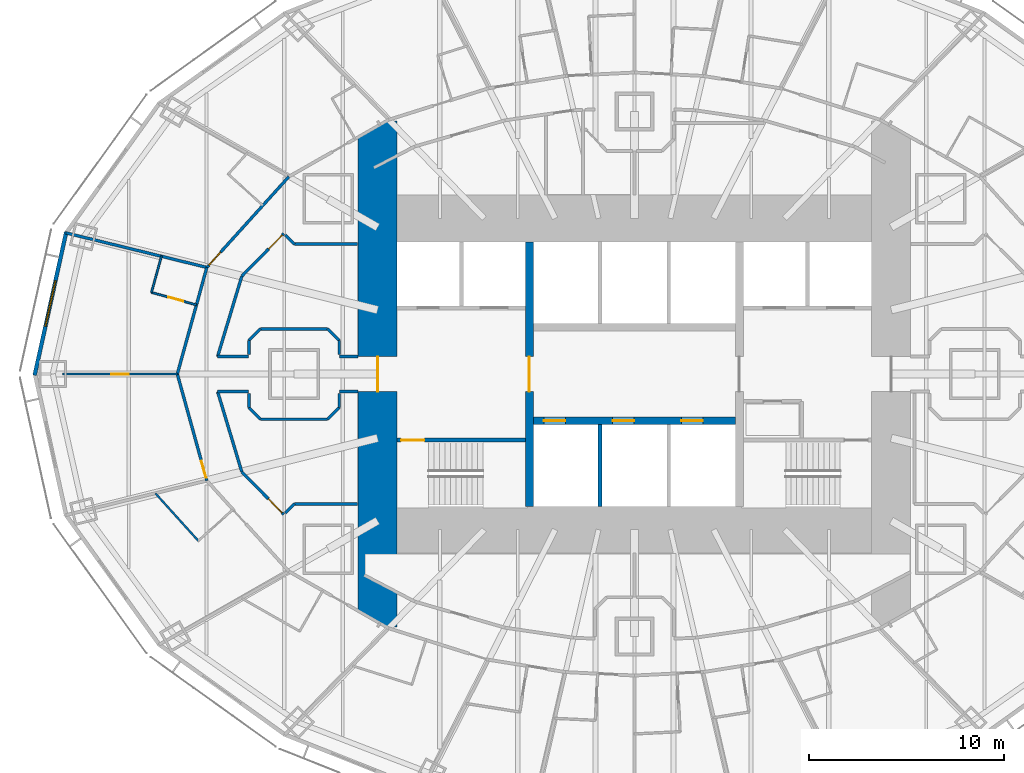
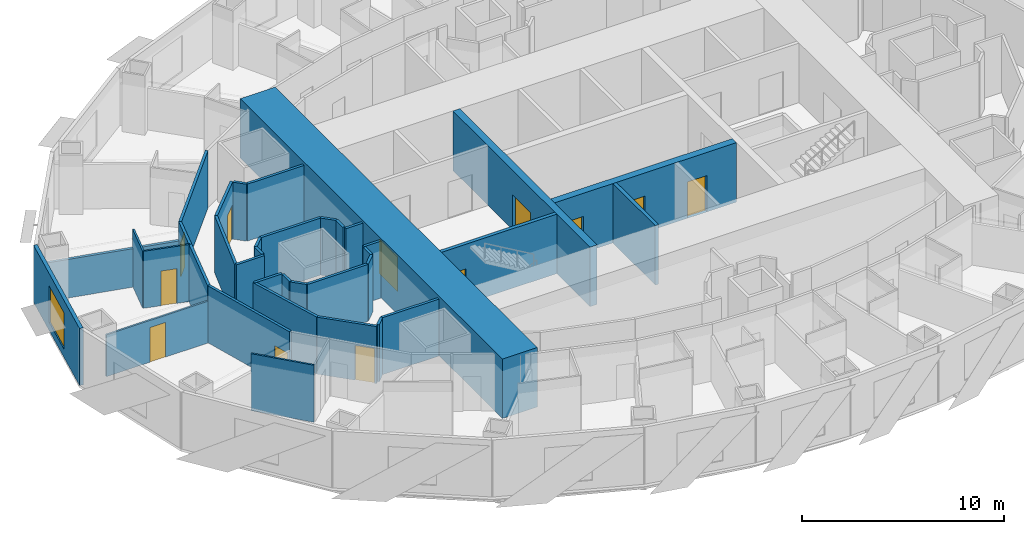
# One storey, part 6 of 17: 36 walls, 12 doors, 1 window, 13 openings.
"""IFC4 building model written with IfcOpenShell, lengths in metres."""

from ifc_helpers import new_model, si_unit, direction, frame, frame_2d, origin, place, context, subcontext, project, spatial, rectangle, extrude, material, layer, layer_set, type_object, element, fill, save


model = new_model("IFC4")

# Units and contexts
model_context = context("Model", 3, precision=1e-05, world=origin(), true_north=direction((0.0, 1.0)))
body_context = subcontext(model_context, "Body", "Model", "MODEL_VIEW")
ifc_project = project(units=[si_unit("LENGTHUNIT", "METRE"), si_unit("AREAUNIT", "SQUARE_METRE"), si_unit("VOLUMEUNIT", "CUBIC_METRE"), si_unit("PLANEANGLEUNIT", "RADIAN"), si_unit("MASSUNIT", "GRAM", prefix="KILO")], contexts=[model_context])

# Site, building, storey
site_placement = place(None, origin())
site = spatial("IfcSite", under=ifc_project, at=site_placement, CompositionType="ELEMENT")
building_placement = place(site_placement, origin())
building = spatial("IfcBuilding", under=site, at=building_placement, Name="Lantaw Convention Tower", CompositionType="ELEMENT")
storey_placement = place(building_placement, frame((0.0, 0.0, 37.0)))
storey = spatial("IfcBuildingStorey", under=building, at=storey_placement, Name="L06", CompositionType="ELEMENT", Elevation=37.0)

# Wall, opening, door
ifc_material_1 = material(Name="Moisture resistant gypsum board on steel studs", Category="steel")
ifc_layer_1 = layer(ifc_material_1, 0.10009765625)
ifc_layer_set_1 = layer_set([ifc_layer_1], Name="Bathroom wall 100")
wall_type_1 = type_object("IfcWallType", Name="Bathroom wall 100", PredefinedType="PARTITIONING", material=ifc_layer_set_1)
wall_1_placement = place(storey_placement, frame((-22.515869140625, 3.55322265625, 0.0), z_axis=(0.0, 0.0, 1.0), x_axis=(-0.963711502417, 0.266945949788, 0.0)))
wall_1 = element("IfcWall", 1, at=wall_1_placement, inside=storey, type_object=wall_type_1, Name="Bathroom wall 100", PredefinedType="PARTITIONING", context=body_context, shape_type="SweptSolid", body=[
    extrude(rectangle(XDim=2.39990234375, YDim=0.10009765625, at=frame_2d((1.199951171875, 0.0))), origin(), (0.0, 0.0, 1.0), 3.449951171875),
])
opening_1_placement = place(wall_1_placement, frame((0.699951171875, 0.0, 0.0)))
opening_1 = element("IfcOpeningElement", 2, at=opening_1_placement, cuts=wall_1, Name="Opening L06.47", PredefinedType="OPENING", context=body_context, shape_type="SweptSolid", body=[
    extrude(rectangle(XDim=0.800048828125, YDim=2.10009765625, at=frame_2d((0.39990234375, 1.050048828125))), frame((0.0, 0.06005859375, 0.0), z_axis=(0.0, -1.0, 0.0), x_axis=(1.0, 0.0, 0.0)), (0.0, 0.0, 1.0), 0.1201171875),
])
ifc_material_2 = material(Name="Timber", Category="wood")
door_type_1 = type_object("IfcDoorType", Name="Bathroom door 800", OperationType="SINGLE_SWING_LEFT", PredefinedType="DOOR", material=ifc_material_2)
door_1_placement = place(opening_1_placement, origin())
door_1 = element("IfcDoor", 3, at=door_1_placement, inside=storey, type_object=door_type_1, Name="Bathroom door", OperationType="SINGLE_SWING_LEFT", OverallHeight=2.10009765625, OverallWidth=0.800048828125, PredefinedType="DOOR", context=body_context, shape_type="SweptSolid", body=[
    extrude(rectangle(XDim=0.800048828125, YDim=2.10009765625, at=frame_2d((0.39990234375, 1.050048828125))), frame((0.0, 0.02490234375, 0.0), z_axis=(0.0, -1.0, 0.0), x_axis=(1.0, 0.0, 0.0)), (0.0, 0.0, 1.0), 0.050048828125),
])
fill(opening_1, door_1)

# Walls
wall_2_placement = place(storey_placement, frame((-24.82861328125, 4.19384765625, 0.0), z_axis=(0.0, 0.0, 1.0), x_axis=(0.266942084007, 0.963712573222, 0.0)))
element("IfcWall", 4, at=wall_2_placement, inside=storey, type_object=wall_type_1, Name="Bathroom wall 100", PredefinedType="PARTITIONING", context=body_context, shape_type="SweptSolid", body=[
    extrude(rectangle(XDim=1.93798828125, YDim=0.10009765625, at=frame_2d((0.968994140625, 0.0))), origin(), (0.0, 0.0, 1.0), 3.449951171875),
])
wall_3_placement = place(storey_placement, frame((-22.421142578125, -8.57373046875, 0.0), z_axis=(0.0, 0.0, 1.0), x_axis=(-0.670578246017, 0.741838807268, 0.0)))
element("IfcWall", 5, at=wall_3_placement, inside=storey, type_object=wall_type_1, Name="Bathroom wall 100", PredefinedType="PARTITIONING", context=body_context, shape_type="SweptSolid", body=[
    extrude(rectangle(XDim=3.2822265625, YDim=0.10009765625, at=frame_2d((1.64111328125, 0.0))), origin(), (0.0, 0.0, 1.0), 3.449951171875),
])

# Wall, opening, door
ifc_material_3 = material(Name="Concrete C60/75", Category="concrete")
ifc_layer_2 = layer(ifc_material_3, 0.199951171875)
ifc_layer_set_2 = layer_set([ifc_layer_2], Name="Core wall 200")
wall_type_2 = type_object("IfcWallType", Name="Core wall 200", PredefinedType="SHEAR", material=ifc_layer_set_2)
wall_4_placement = place(storey_placement, frame((-5.60009765625, -3.39990234375, 0.0), z_axis=(0.0, 0.0, 1.0), x_axis=(-1.0, 0.0, 0.0)))
wall_4 = element("IfcWall", 6, at=wall_4_placement, inside=storey, type_object=wall_type_2, Name="Core wall WS", PredefinedType="SHEAR", context=body_context, shape_type="SweptSolid", body=[
    extrude(rectangle(XDim=6.599853515625, YDim=0.199951171875, at=frame_2d((3.2998046875, 0.0))), origin(), (0.0, 0.0, 1.0), 3.60009765625),
])
opening_2_placement = place(wall_4_placement, frame((5.199951171875, 0.0, 0.0)))
opening_2 = element("IfcOpeningElement", 7, at=opening_2_placement, cuts=wall_4, Name="Opening L06.05", PredefinedType="OPENING", context=body_context, shape_type="SweptSolid", body=[
    extrude(rectangle(XDim=1.199951171875, YDim=2.10009765625, at=frame_2d((0.60009765625, 1.050048828125))), frame((0.0, 0.10986328125, 0.0), z_axis=(0.0, -1.0, 0.0), x_axis=(1.0, 0.0, 0.0)), (0.0, 0.0, 1.0), 0.219970703125),
])
ifc_material_4 = material(Name="Steel, fire rated", Category="steel")
door_type_2 = type_object("IfcDoorType", Name="Stair door FD90", OperationType="SINGLE_SWING_RIGHT", PredefinedType="DOOR", material=ifc_material_4)
door_2_placement = place(opening_2_placement, origin())
door_2 = element("IfcDoor", 8, at=door_2_placement, inside=storey, type_object=door_type_2, Name="Exit stair door", OperationType="SINGLE_SWING_RIGHT", OverallHeight=2.10009765625, OverallWidth=1.199951171875, PredefinedType="DOOR", context=body_context, shape_type="SweptSolid", body=[
    extrude(rectangle(XDim=1.199951171875, YDim=2.10009765625, at=frame_2d((0.60009765625, 1.050048828125))), frame((0.0, 0.02490234375, 0.0), z_axis=(0.0, -1.0, 0.0), x_axis=(1.0, 0.0, 0.0)), (0.0, 0.0, 1.0), 0.050048828125),
])
fill(opening_2, door_2)

ifc_layer_3 = layer(ifc_material_3, 2.0)
ifc_layer_set_3 = layer_set([ifc_layer_3], Name="Core wall 2000")
wall_type_3 = type_object("IfcWallType", Name="Core wall 2000", PredefinedType="SHEAR", material=ifc_layer_set_3)
wall_5_placement = place(storey_placement, frame((-13.199951171875, 13.0, 0.0), z_axis=(0.0, 0.0, 1.0), x_axis=(0.0, -1.0, 0.0)))
wall_5 = element("IfcWall", 9, at=wall_5_placement, inside=storey, type_object=wall_type_3, Name="Core wall W", PredefinedType="SHEAR", context=body_context, shape_type="SweptSolid", body=[
    extrude(rectangle(XDim=26.0, YDim=2.0, at=frame_2d((13.0, 0.0))), origin(), (0.0, 0.0, 1.0), 3.60009765625),
])
opening_3_placement = place(wall_5_placement, frame((12.10009765625, 0.0, 0.0)))
opening_3 = element("IfcOpeningElement", 10, at=opening_3_placement, cuts=wall_5, Name="Opening L06.07", PredefinedType="OPENING", context=body_context, shape_type="SweptSolid", body=[
    extrude(rectangle(XDim=1.800048828125, YDim=2.10009765625, at=frame_2d((0.89990234375, 1.050048828125))), frame((0.0, 1.010009765625, 0.0), z_axis=(0.0, -1.0, 0.0), x_axis=(1.0, 0.0, 0.0)), (0.0, 0.0, 1.0), 2.02001953125),
])
door_type_3 = type_object("IfcDoorType", Name="Lobby double door FD90", OperationType="DOUBLE_DOOR_DOUBLE_SWING", PredefinedType="DOOR", material=ifc_material_4)
door_3_placement = place(opening_3_placement, origin())
door_3 = element("IfcDoor", 11, at=door_3_placement, inside=storey, type_object=door_type_3, Name="Firefighting lobby door", OperationType="DOUBLE_DOOR_DOUBLE_SWING", OverallHeight=2.10009765625, OverallWidth=1.800048828125, PredefinedType="DOOR", context=body_context, shape_type="SweptSolid", body=[
    extrude(rectangle(XDim=1.800048828125, YDim=2.10009765625, at=frame_2d((0.89990234375, 1.050048828125))), frame((0.0, 0.02490234375, 0.0), z_axis=(0.0, -1.0, 0.0), x_axis=(1.0, 0.0, 0.0)), (0.0, 0.0, 1.0), 0.050048828125),
])
fill(opening_3, door_3)

ifc_layer_4 = layer(ifc_material_3, 0.39990234375)
ifc_layer_set_4 = layer_set([ifc_layer_4], Name="Core wall 400")
wall_type_4 = type_object("IfcWallType", Name="Core wall 400", PredefinedType="SHEAR", material=ifc_layer_set_4)
wall_6_placement = place(storey_placement, frame((-5.39990234375, 6.800048828125, 0.0), z_axis=(0.0, 0.0, 1.0), x_axis=(0.0, -1.0, 0.0)))
wall_6 = element("IfcWall", 12, at=wall_6_placement, inside=storey, type_object=wall_type_4, Name="Core wall XW", PredefinedType="SHEAR", context=body_context, shape_type="SweptSolid", body=[
    extrude(rectangle(XDim=13.60009765625, YDim=0.39990234375, at=frame_2d((6.800048828125, 0.0))), origin(), (0.0, 0.0, 1.0), 3.60009765625),
])
opening_4_placement = place(wall_6_placement, frame((5.89990234375, 0.0, 0.0)))
opening_4 = element("IfcOpeningElement", 13, at=opening_4_placement, cuts=wall_6, Name="Opening L06.03", PredefinedType="OPENING", context=body_context, shape_type="SweptSolid", body=[
    extrude(rectangle(XDim=1.800048828125, YDim=2.10009765625, at=frame_2d((0.89990234375, 1.050048828125))), frame((0.0, 0.2099609375, 0.0), z_axis=(0.0, -1.0, 0.0), x_axis=(1.0, 0.0, 0.0)), (0.0, 0.0, 1.0), 0.419921875),
])
door_4_placement = place(opening_4_placement, origin())
door_4 = element("IfcDoor", 14, at=door_4_placement, inside=storey, type_object=door_type_3, Name="Lift lobby door", OperationType="DOUBLE_DOOR_DOUBLE_SWING", OverallHeight=2.10009765625, OverallWidth=1.800048828125, PredefinedType="DOOR", context=body_context, shape_type="SweptSolid", body=[
    extrude(rectangle(XDim=1.800048828125, YDim=2.10009765625, at=frame_2d((0.89990234375, 1.050048828125))), frame((0.0, 0.02490234375, 0.0), z_axis=(0.0, -1.0, 0.0), x_axis=(1.0, 0.0, 0.0)), (0.0, 0.0, 1.0), 0.050048828125),
])
fill(opening_4, door_4)

# Wall, openings, doors
wall_7_placement = place(storey_placement, frame((-5.199951171875, -2.39990234375, 0.0), z_axis=(0.0, 0.0, 1.0), x_axis=(1.0, 0.0, 0.0)))
wall_7 = element("IfcWall", 15, at=wall_7_placement, inside=storey, type_object=wall_type_4, Name="Core wall BS", PredefinedType="SHEAR", context=body_context, shape_type="SweptSolid", body=[
    extrude(rectangle(XDim=10.39990234375, YDim=0.39990234375, at=frame_2d((5.199951171875, 0.0))), origin(), (0.0, 0.0, 1.0), 3.60009765625),
])
opening_5_placement = place(wall_7_placement, frame((0.550048828125, 0.0, 0.0)))
opening_5 = element("IfcOpeningElement", 16, at=opening_5_placement, cuts=wall_7, Name="Opening L06.08", PredefinedType="OPENING", context=body_context, shape_type="SweptSolid", body=[
    extrude(rectangle(XDim=1.10009765625, YDim=2.199951171875, at=frame_2d((0.550048828125, 1.10009765625))), frame((0.0, 0.2099609375, 0.0), z_axis=(0.0, -1.0, 0.0), x_axis=(1.0, 0.0, 0.0)), (0.0, 0.0, 1.0), 0.419921875),
])
opening_6_placement = place(wall_7_placement, frame((4.083251953125, 0.0, 0.0)))
opening_6 = element("IfcOpeningElement", 17, at=opening_6_placement, cuts=wall_7, Name="Opening L06.09", PredefinedType="OPENING", context=body_context, shape_type="SweptSolid", body=[
    extrude(rectangle(XDim=1.10009765625, YDim=2.199951171875, at=frame_2d((0.550048828125, 1.10009765625))), frame((0.0, 0.2099609375, 0.0), z_axis=(0.0, -1.0, 0.0), x_axis=(1.0, 0.0, 0.0)), (0.0, 0.0, 1.0), 0.419921875),
])
opening_7_placement = place(wall_7_placement, frame((7.61669921875, 0.0, 0.0)))
opening_7 = element("IfcOpeningElement", 18, at=opening_7_placement, cuts=wall_7, Name="Opening L06.10", PredefinedType="OPENING", context=body_context, shape_type="SweptSolid", body=[
    extrude(rectangle(XDim=1.10009765625, YDim=2.199951171875, at=frame_2d((0.550048828125, 1.10009765625))), frame((0.0, 0.2099609375, 0.0), z_axis=(0.0, -1.0, 0.0), x_axis=(1.0, 0.0, 0.0)), (0.0, 0.0, 1.0), 0.419921875),
])
ifc_material_5 = material(Name="Stainless steel", Category="steel")
door_type_4 = type_object("IfcDoorType", Name="Lift landing door 1100", OperationType="DOUBLE_DOOR_SLIDING", PredefinedType="DOOR", material=ifc_material_5)
door_5_placement = place(opening_5_placement, origin())
door_5 = element("IfcDoor", 19, at=door_5_placement, inside=storey, type_object=door_type_4, Name="Lift landing door H1", OperationType="DOUBLE_DOOR_SLIDING", OverallHeight=2.199951171875, OverallWidth=1.10009765625, PredefinedType="DOOR", context=body_context, shape_type="SweptSolid", body=[
    extrude(rectangle(XDim=1.10009765625, YDim=2.199951171875, at=frame_2d((0.550048828125, 1.10009765625))), frame((0.0, 0.02490234375, 0.0), z_axis=(0.0, -1.0, 0.0), x_axis=(1.0, 0.0, 0.0)), (0.0, 0.0, 1.0), 0.050048828125),
])
fill(opening_5, door_5)
door_6_placement = place(opening_6_placement, origin())
door_6 = element("IfcDoor", 20, at=door_6_placement, inside=storey, type_object=door_type_4, Name="Lift landing door H2", OperationType="DOUBLE_DOOR_SLIDING", OverallHeight=2.199951171875, OverallWidth=1.10009765625, PredefinedType="DOOR", context=body_context, shape_type="SweptSolid", body=[
    extrude(rectangle(XDim=1.10009765625, YDim=2.199951171875, at=frame_2d((0.550048828125, 1.10009765625))), frame((0.0, 0.02490234375, 0.0), z_axis=(0.0, -1.0, 0.0), x_axis=(1.0, 0.0, 0.0)), (0.0, 0.0, 1.0), 0.050048828125),
])
fill(opening_6, door_6)
door_7_placement = place(opening_7_placement, origin())
door_7 = element("IfcDoor", 21, at=door_7_placement, inside=storey, type_object=door_type_4, Name="Lift landing door H3", OperationType="DOUBLE_DOOR_SLIDING", OverallHeight=2.199951171875, OverallWidth=1.10009765625, PredefinedType="DOOR", context=body_context, shape_type="SweptSolid", body=[
    extrude(rectangle(XDim=1.10009765625, YDim=2.199951171875, at=frame_2d((0.550048828125, 1.10009765625))), frame((0.0, 0.02490234375, 0.0), z_axis=(0.0, -1.0, 0.0), x_axis=(1.0, 0.0, 0.0)), (0.0, 0.0, 1.0), 0.050048828125),
])
fill(opening_7, door_7)

# Wall, opening, door
ifc_material_6 = material(Name="Gypsum board on steel studs, fire rated", Category="steel")
ifc_layer_5 = layer(ifc_material_6, 0.14990234375)
ifc_layer_set_5 = layer_set([ifc_layer_5], Name="Corridor wall 150 EI 60")
wall_type_5 = type_object("IfcWallType", Name="Corridor wall 150 EI 60", PredefinedType="PARTITIONING", material=ifc_layer_set_5)
wall_8_placement = place(storey_placement, frame((-17.761474609375, 10.1494140625, 0.0), z_axis=(0.0, 0.0, 1.0), x_axis=(-0.670598380282, -0.741820606591, 0.0)))
wall_8 = element("IfcWall", 22, at=wall_8_placement, inside=storey, type_object=wall_type_5, Name="Corridor wall 150", PredefinedType="PARTITIONING", context=body_context, shape_type="SweptSolid", body=[
    extrude(rectangle(XDim=6.29345703125, YDim=0.14990234375, at=frame_2d((3.146728515625, 0.0))), origin(), (0.0, 0.0, 1.0), 3.449951171875),
])
opening_8_placement = place(wall_8_placement, frame((5.24365234375, 0.0, 0.0)))
opening_8 = element("IfcOpeningElement", 23, at=opening_8_placement, cuts=wall_8, Name="Opening L06.46", PredefinedType="OPENING", context=body_context, shape_type="SweptSolid", body=[
    extrude(rectangle(XDim=0.89990234375, YDim=2.10009765625, at=frame_2d((0.449951171875, 1.050048828125))), frame((0.0, 0.0849609375, 0.0), z_axis=(0.0, -1.0, 0.0), x_axis=(1.0, 0.0, 0.0)), (0.0, 0.0, 1.0), 0.169921875),
])
door_type_5 = type_object("IfcDoorType", Name="Guest room entrance door FD30S", OperationType="SINGLE_SWING_LEFT", PredefinedType="DOOR", material=ifc_material_4)
door_8_placement = place(opening_8_placement, origin())
door_8 = element("IfcDoor", 24, at=door_8_placement, inside=storey, type_object=door_type_5, Name="Guest room entrance door", OperationType="SINGLE_SWING_LEFT", OverallHeight=2.10009765625, OverallWidth=0.89990234375, PredefinedType="DOOR", context=body_context, shape_type="SweptSolid", body=[
    extrude(rectangle(XDim=0.89990234375, YDim=2.10009765625, at=frame_2d((0.449951171875, 1.050048828125))), frame((0.0, 0.02490234375, 0.0), z_axis=(0.0, -1.0, 0.0), x_axis=(1.0, 0.0, 0.0)), (0.0, 0.0, 1.0), 0.050048828125),
])
fill(opening_8, door_8)

# Wall
wall_9_placement = place(storey_placement, frame((-21.98193359375, 5.480712890625, 0.0), z_axis=(0.0, 0.0, 1.0), x_axis=(-0.266933062421, -0.963715072097, 0.0)))
element("IfcWall", 25, at=wall_9_placement, inside=storey, type_object=wall_type_5, Name="Corridor wall 150", PredefinedType="PARTITIONING", context=body_context, shape_type="SweptSolid", body=[
    extrude(rectangle(XDim=5.68701171875, YDim=0.14990234375, at=frame_2d((2.843505859375, 0.0))), origin(), (0.0, 0.0, 1.0), 3.449951171875),
])

# Wall, opening, door
wall_10_placement = place(storey_placement, frame((-23.5, 0.0, 0.0), z_axis=(0.0, 0.0, 1.0), x_axis=(0.266933062421, -0.963715072097, 0.0)))
wall_10 = element("IfcWall", 26, at=wall_10_placement, inside=storey, type_object=wall_type_5, Name="Corridor wall 150", PredefinedType="PARTITIONING", context=body_context, shape_type="SweptSolid", body=[
    extrude(rectangle(XDim=5.68701171875, YDim=0.14990234375, at=frame_2d((2.843505859375, 0.0))), origin(), (0.0, 0.0, 1.0), 3.449951171875),
])
opening_9_placement = place(wall_10_placement, frame((4.63720703125, 0.0, 0.0)))
opening_9 = element("IfcOpeningElement", 27, at=opening_9_placement, cuts=wall_10, Name="Opening L06.49", PredefinedType="OPENING", context=body_context, shape_type="SweptSolid", body=[
    extrude(rectangle(XDim=0.89990234375, YDim=2.10009765625, at=frame_2d((0.449951171875, 1.050048828125))), frame((0.0, 0.0849609375, 0.0), z_axis=(0.0, -1.0, 0.0), x_axis=(1.0, 0.0, 0.0)), (0.0, 0.0, 1.0), 0.169921875),
])
door_9_placement = place(opening_9_placement, origin())
door_9 = element("IfcDoor", 28, at=door_9_placement, inside=storey, type_object=door_type_5, Name="Suite entrance door", OperationType="SINGLE_SWING_LEFT", OverallHeight=2.10009765625, OverallWidth=0.89990234375, PredefinedType="DOOR", context=body_context, shape_type="SweptSolid", body=[
    extrude(rectangle(XDim=0.89990234375, YDim=2.10009765625, at=frame_2d((0.449951171875, 1.050048828125))), frame((0.0, 0.02490234375, 0.0), z_axis=(0.0, -1.0, 0.0), x_axis=(1.0, 0.0, 0.0)), (0.0, 0.0, 1.0), 0.050048828125),
])
fill(opening_9, door_9)

# Walls
for number, where, z_axis, x_axis, name in (
    (29, (-20.18310546875, 5.0322265625, 0.0), (0.0, 0.0, 1.0), (-0.288603524054, -0.957448696225, 0.0), "Corridor wall 150"),
    (30, (-21.4287109375, -0.89990234375, 0.0), (0.0, 0.0, 1.0), (0.288603524054, -0.957448696225, 0.0), "Corridor wall 150"),
):
    element("IfcWall", number, at=place(storey_placement, frame(where, z_axis=z_axis, x_axis=x_axis)), inside=storey, type_object=wall_type_5, Name=name, PredefinedType="PARTITIONING", context=body_context, shape_type="SweptSolid", body=[
        extrude(rectangle(XDim=4.31591796875, YDim=0.14990234375, at=frame_2d((2.157958984375, 0.0))), origin(), (0.0, 0.0, 1.0), 3.449951171875),
    ])
wall_11_placement = place(storey_placement, frame((-14.199951171875, -0.89990234375, 0.0), z_axis=(0.0, 0.0, 1.0), x_axis=(-1.0, 0.0, 0.0)))
element("IfcWall", 31, at=wall_11_placement, inside=storey, type_object=wall_type_5, Name="Corridor wall 150", PredefinedType="PARTITIONING", context=body_context, shape_type="SweptSolid", body=[
    extrude(rectangle(XDim=0.965087890625, YDim=0.14990234375, at=frame_2d((0.482421875, 0.0))), origin(), (0.0, 0.0, 1.0), 3.449951171875),
])
wall_12_placement = place(storey_placement, frame((-19.8349609375, -0.89990234375, 0.0), z_axis=(0.0, 0.0, 1.0), x_axis=(-1.0, 0.0, 0.0)))
element("IfcWall", 32, at=wall_12_placement, inside=storey, type_object=wall_type_5, Name="Corridor wall 150", PredefinedType="PARTITIONING", context=body_context, shape_type="SweptSolid", body=[
    extrude(rectangle(XDim=1.59375, YDim=0.14990234375, at=frame_2d((0.796875, 0.0))), origin(), (0.0, 0.0, 1.0), 3.449951171875),
])
wall_13_placement = place(storey_placement, frame((-14.199951171875, 0.89990234375, 0.0), z_axis=(0.0, 0.0, 1.0), x_axis=(-1.0, 0.0, 0.0)))
element("IfcWall", 33, at=wall_13_placement, inside=storey, type_object=wall_type_5, Name="Corridor wall 150", PredefinedType="PARTITIONING", context=body_context, shape_type="SweptSolid", body=[
    extrude(rectangle(XDim=0.965087890625, YDim=0.14990234375, at=frame_2d((0.482421875, 0.0))), origin(), (0.0, 0.0, 1.0), 3.449951171875),
])
wall_14_placement = place(storey_placement, frame((-19.8349609375, 0.89990234375, 0.0), z_axis=(0.0, 0.0, 1.0), x_axis=(-1.0, 0.0, 0.0)))
element("IfcWall", 34, at=wall_14_placement, inside=storey, type_object=wall_type_5, Name="Corridor wall 150", PredefinedType="PARTITIONING", context=body_context, shape_type="SweptSolid", body=[
    extrude(rectangle(XDim=1.59375, YDim=0.14990234375, at=frame_2d((0.796875, 0.0))), origin(), (0.0, 0.0, 1.0), 3.449951171875),
])
wall_15_placement = place(storey_placement, frame((-19.824951171875, 1.003173828125, 0.0), z_axis=(0.0, 0.0, 1.0), x_axis=(0.0, 1.0, 0.0)))
element("IfcWall", 35, at=wall_15_placement, inside=storey, type_object=wall_type_5, Name="Corridor wall 150", PredefinedType="PARTITIONING", context=body_context, shape_type="SweptSolid", body=[
    extrude(rectangle(XDim=0.721435546875, YDim=0.14990234375, at=frame_2d((0.36083984375, 0.0))), origin(), (0.0, 0.0, 1.0), 3.449951171875),
])
wall_16_placement = place(storey_placement, frame((-19.824951171875, 1.724609375, 0.0), z_axis=(0.0, 0.0, 1.0), x_axis=(0.707106781187, 0.707106781187, 0.0)))
element("IfcWall", 36, at=wall_16_placement, inside=storey, type_object=wall_type_5, Name="Corridor wall 150", PredefinedType="PARTITIONING", context=body_context, shape_type="SweptSolid", body=[
    extrude(rectangle(XDim=0.84912109375, YDim=0.14990234375, at=frame_2d((0.424560546875, 0.0))), origin(), (0.0, 0.0, 1.0), 3.449951171875),
])
wall_17_placement = place(storey_placement, frame((-19.224609375, 2.324951171875, 0.0), z_axis=(0.0, 0.0, 1.0), x_axis=(1.0, 0.0, 0.0)))
element("IfcWall", 37, at=wall_17_placement, inside=storey, type_object=wall_type_5, Name="Corridor wall 150", PredefinedType="PARTITIONING", context=body_context, shape_type="SweptSolid", body=[
    extrude(rectangle(XDim=3.44921875, YDim=0.14990234375, at=frame_2d((1.724609375, 0.0))), origin(), (0.0, 0.0, 1.0), 3.449951171875),
])
wall_18_placement = place(storey_placement, frame((-15.775390625, 2.324951171875, 0.0), z_axis=(0.0, 0.0, 1.0), x_axis=(0.707106781187, -0.707106781187, 0.0)))
element("IfcWall", 38, at=wall_18_placement, inside=storey, type_object=wall_type_5, Name="Corridor wall 150", PredefinedType="PARTITIONING", context=body_context, shape_type="SweptSolid", body=[
    extrude(rectangle(XDim=0.84912109375, YDim=0.14990234375, at=frame_2d((0.424560546875, 0.0))), origin(), (0.0, 0.0, 1.0), 3.449951171875),
])
for number, where, z_axis, x_axis, name in (
    (39, (-15.175048828125, 1.724609375, 0.0), (0.0, 0.0, 1.0), (0.0, -1.0, 0.0), "Corridor wall 150"),
    (40, (-19.824951171875, -1.724609375, 0.0), (0.0, 0.0, 1.0), (0.0, 1.0, 0.0), "Corridor wall 150"),
    (41, (-15.175048828125, -1.003173828125, 0.0), (0.0, 0.0, 1.0), (0.0, -1.0, 0.0), "Corridor wall 150"),
):
    element("IfcWall", number, at=place(storey_placement, frame(where, z_axis=z_axis, x_axis=x_axis)), inside=storey, type_object=wall_type_5, Name=name, PredefinedType="PARTITIONING", context=body_context, shape_type="SweptSolid", body=[
        extrude(rectangle(XDim=0.721435546875, YDim=0.14990234375, at=frame_2d((0.36083984375, 0.0))), origin(), (0.0, 0.0, 1.0), 3.449951171875),
    ])
wall_19_placement = place(storey_placement, frame((-15.175048828125, -1.724609375, 0.0), z_axis=(0.0, 0.0, 1.0), x_axis=(-0.707106781187, -0.707106781187, 0.0)))
element("IfcWall", 42, at=wall_19_placement, inside=storey, type_object=wall_type_5, Name="Corridor wall 150", PredefinedType="PARTITIONING", context=body_context, shape_type="SweptSolid", body=[
    extrude(rectangle(XDim=0.84912109375, YDim=0.14990234375, at=frame_2d((0.424560546875, 0.0))), origin(), (0.0, 0.0, 1.0), 3.449951171875),
])
wall_20_placement = place(storey_placement, frame((-15.775390625, -2.324951171875, 0.0), z_axis=(0.0, 0.0, 1.0), x_axis=(-1.0, 0.0, 0.0)))
element("IfcWall", 43, at=wall_20_placement, inside=storey, type_object=wall_type_5, Name="Corridor wall 150", PredefinedType="PARTITIONING", context=body_context, shape_type="SweptSolid", body=[
    extrude(rectangle(XDim=3.44921875, YDim=0.14990234375, at=frame_2d((1.724609375, 0.0))), origin(), (0.0, 0.0, 1.0), 3.449951171875),
])
wall_21_placement = place(storey_placement, frame((-19.224609375, -2.324951171875, 0.0), z_axis=(0.0, 0.0, 1.0), x_axis=(-0.707106781187, 0.707106781187, 0.0)))
element("IfcWall", 44, at=wall_21_placement, inside=storey, type_object=wall_type_5, Name="Corridor wall 150", PredefinedType="PARTITIONING", context=body_context, shape_type="SweptSolid", body=[
    extrude(rectangle(XDim=0.84912109375, YDim=0.14990234375, at=frame_2d((0.424560546875, 0.0))), origin(), (0.0, 0.0, 1.0), 3.449951171875),
])

# Wall, opening, door
wall_22_placement = place(storey_placement, frame((-20.18310546875, -5.0322265625, 0.0), z_axis=(0.0, 0.0, 1.0), x_axis=(0.701392176983, -0.712775570616, 0.0)))
wall_22 = element("IfcWall", 45, at=wall_22_placement, inside=storey, type_object=wall_type_5, Name="Corridor wall 150", PredefinedType="PARTITIONING", context=body_context, shape_type="SweptSolid", body=[
    extrude(rectangle(XDim=3.06689453125, YDim=0.14990234375, at=frame_2d((1.533447265625, 0.0))), origin(), (0.0, 0.0, 1.0), 3.449951171875),
])
opening_10_placement = place(wall_22_placement, frame((1.949951171875, 0.0, 0.0)))
opening_10 = element("IfcOpeningElement", 46, at=opening_10_placement, cuts=wall_22, Name="Opening L06.22", PredefinedType="OPENING", context=body_context, shape_type="SweptSolid", body=[
    extrude(rectangle(XDim=1.0, YDim=2.10009765625, at=frame_2d((0.5, 1.050048828125))), frame((0.0, 0.0849609375, 0.0), z_axis=(0.0, -1.0, 0.0), x_axis=(1.0, 0.0, 0.0)), (0.0, 0.0, 1.0), 0.169921875),
])
door_type_6 = type_object("IfcDoorType", Name="Service door 1000 FD30", OperationType="SINGLE_SWING_LEFT", PredefinedType="DOOR", material=ifc_material_4)
door_10_placement = place(opening_10_placement, origin())
door_10 = element("IfcDoor", 47, at=door_10_placement, inside=storey, type_object=door_type_6, Name="Staff room door", OperationType="SINGLE_SWING_LEFT", OverallHeight=2.10009765625, OverallWidth=1.0, PredefinedType="DOOR", context=body_context, shape_type="SweptSolid", body=[
    extrude(rectangle(XDim=1.0, YDim=2.10009765625, at=frame_2d((0.5, 1.050048828125))), frame((0.0, 0.02490234375, 0.0), z_axis=(0.0, -1.0, 0.0), x_axis=(1.0, 0.0, 0.0)), (0.0, 0.0, 1.0), 0.050048828125),
])
fill(opening_10, door_10)

# Walls
wall_23_placement = place(storey_placement, frame((-17.951904296875, -7.15234375, 0.0), z_axis=(0.0, 0.0, 1.0), x_axis=(0.707106781187, 0.707106781187, 0.0)))
element("IfcWall", 48, at=wall_23_placement, inside=storey, type_object=wall_type_5, Name="Corridor wall 150", PredefinedType="PARTITIONING", context=body_context, shape_type="SweptSolid", body=[
    extrude(rectangle(XDim=0.675048828125, YDim=0.14990234375, at=frame_2d((0.33740234375, 0.0))), origin(), (0.0, 0.0, 1.0), 3.449951171875),
])
wall_24_placement = place(storey_placement, frame((-17.474609375, -6.675048828125, 0.0), z_axis=(0.0, 0.0, 1.0), x_axis=(1.0, 0.0, 0.0)))
element("IfcWall", 49, at=wall_24_placement, inside=storey, type_object=wall_type_5, Name="Corridor wall 150", PredefinedType="PARTITIONING", context=body_context, shape_type="SweptSolid", body=[
    extrude(rectangle(XDim=3.24462890625, YDim=0.14990234375, at=frame_2d((1.622314453125, 0.0))), origin(), (0.0, 0.0, 1.0), 3.449951171875),
])

# Wall, opening, door
wall_25_placement = place(storey_placement, frame((-18.031982421875, 7.21826171875, 0.0), z_axis=(0.0, 0.0, 1.0), x_axis=(-0.701392176983, -0.712775570616, 0.0)))
wall_25 = element("IfcWall", 50, at=wall_25_placement, inside=storey, type_object=wall_type_5, Name="Corridor wall 150", PredefinedType="PARTITIONING", context=body_context, shape_type="SweptSolid", body=[
    extrude(rectangle(XDim=3.06689453125, YDim=0.14990234375, at=frame_2d((1.533447265625, 0.0))), origin(), (0.0, 0.0, 1.0), 3.449951171875),
])
opening_11_placement = place(wall_25_placement, frame((0.10009765625, 0.0, 0.0)))
opening_11 = element("IfcOpeningElement", 51, at=opening_11_placement, cuts=wall_25, Name="Opening L06.20", PredefinedType="OPENING", context=body_context, shape_type="SweptSolid", body=[
    extrude(rectangle(XDim=1.0, YDim=2.10009765625, at=frame_2d((0.5, 1.050048828125))), frame((0.0, 0.0849609375, 0.0), z_axis=(0.0, -1.0, 0.0), x_axis=(1.0, 0.0, 0.0)), (0.0, 0.0, 1.0), 0.169921875),
])
door_11_placement = place(opening_11_placement, origin())
door_11 = element("IfcDoor", 52, at=door_11_placement, inside=storey, type_object=door_type_6, Name="Housekeeping room door", OperationType="SINGLE_SWING_LEFT", OverallHeight=2.10009765625, OverallWidth=1.0, PredefinedType="DOOR", context=body_context, shape_type="SweptSolid", body=[
    extrude(rectangle(XDim=1.0, YDim=2.10009765625, at=frame_2d((0.5, 1.050048828125))), frame((0.0, 0.02490234375, 0.0), z_axis=(0.0, -1.0, 0.0), x_axis=(1.0, 0.0, 0.0)), (0.0, 0.0, 1.0), 0.050048828125),
])
fill(opening_11, door_11)

# Walls
wall_26_placement = place(storey_placement, frame((-14.22998046875, 6.675048828125, 0.0), z_axis=(0.0, 0.0, 1.0), x_axis=(-1.0, 0.0, 0.0)))
element("IfcWall", 53, at=wall_26_placement, inside=storey, type_object=wall_type_5, Name="Corridor wall 150", PredefinedType="PARTITIONING", context=body_context, shape_type="SweptSolid", body=[
    extrude(rectangle(XDim=3.24462890625, YDim=0.14990234375, at=frame_2d((1.622314453125, 0.0))), origin(), (0.0, 0.0, 1.0), 3.449951171875),
])
wall_27_placement = place(storey_placement, frame((-17.474609375, 6.675048828125, 0.0), z_axis=(0.0, 0.0, 1.0), x_axis=(-0.707106781187, 0.707106781187, 0.0)))
element("IfcWall", 54, at=wall_27_placement, inside=storey, type_object=wall_type_5, Name="Corridor wall 150", PredefinedType="PARTITIONING", context=body_context, shape_type="SweptSolid", body=[
    extrude(rectangle(XDim=0.675048828125, YDim=0.14990234375, at=frame_2d((0.33740234375, 0.0))), origin(), (0.0, 0.0, 1.0), 3.449951171875),
])

# Wall, opening, window
ifc_material_7 = material(Name="Insulated aluminium panel on steel frame", Category="steel")
ifc_layer_6 = layer(ifc_material_7, 0.199951171875)
ifc_layer_set_6 = layer_set([ifc_layer_6], Name="External wall 200")
wall_type_6 = type_object("IfcWallType", Name="External wall 200", PredefinedType="SOLIDWALL", material=ifc_layer_set_6)
wall_28_placement = place(storey_placement, frame((-29.207763671875, 7.318115234375, 0.0), z_axis=(0.0, 0.0, 1.0), x_axis=(-0.215238065514, -0.976561608478, 0.0)))
wall_28 = element("IfcWall", 55, at=wall_28_placement, inside=storey, type_object=wall_type_6, Name="Facade panel wall", PredefinedType="SOLIDWALL", context=body_context, shape_type="SweptSolid", body=[
    extrude(rectangle(XDim=7.562255859375, YDim=0.199951171875, at=frame_2d((3.78125, 0.0))), origin(), (0.0, 0.0, 1.0), 3.449951171875),
])
opening_12_placement = place(wall_28_placement, frame((2.581298828125, 0.0, 0.5)))
opening_12 = element("IfcOpeningElement", 56, at=opening_12_placement, cuts=wall_28, Name="Opening W1", PredefinedType="OPENING", context=body_context, shape_type="SweptSolid", body=[
    extrude(rectangle(XDim=2.39990234375, YDim=2.199951171875, at=frame_2d((1.199951171875, 1.10009765625))), frame((0.0, 0.10986328125, 0.0), z_axis=(0.0, -1.0, 0.0), x_axis=(1.0, 0.0, 0.0)), (0.0, 0.0, 1.0), 0.219970703125),
])
ifc_material_8 = material(Name="Aluminium frame, clear insulating glass", Category="aluminium")
window_type = type_object("IfcWindowType", Name="Guest room window 2400x2200", PartitioningType="SINGLE_PANEL", PredefinedType="WINDOW", material=ifc_material_8)
window_placement = place(opening_12_placement, origin())
window = element("IfcWindow", 57, at=window_placement, inside=storey, type_object=window_type, Name="Guest room window", OverallHeight=2.199951171875, OverallWidth=2.39990234375, PartitioningType="SINGLE_PANEL", PredefinedType="WINDOW", context=body_context, shape_type="SweptSolid", body=[
    extrude(rectangle(XDim=2.39990234375, YDim=2.199951171875, at=frame_2d((1.199951171875, 1.10009765625))), frame((0.0, 0.030029296875, 0.0), z_axis=(0.0, -1.0, 0.0), x_axis=(1.0, 0.0, 0.0)), (0.0, 0.0, 1.0), 0.06005859375),
])
fill(opening_12, window)

# Walls
ifc_material_9 = material(Name="Gypsum board on steel studs, acoustic", Category="steel")
ifc_layer_7 = layer(ifc_material_9, 0.14990234375)
ifc_layer_set_7 = layer_set([ifc_layer_7], Name="Guest room party wall 150")
wall_type_7 = type_object("IfcWallType", Name="Guest room party wall 150", PredefinedType="PARTITIONING", material=ifc_layer_set_7)
wall_29_placement = place(storey_placement, frame((-29.221923828125, 7.253662109375, 0.0), z_axis=(0.0, 0.0, 1.0), x_axis=(0.97130070913, -0.237854855832, 0.0)))
element("IfcWall", 58, at=wall_29_placement, inside=storey, type_object=wall_type_7, Name="Guest room party wall 150", PredefinedType="PARTITIONING", context=body_context, shape_type="SweptSolid", body=[
    extrude(rectangle(XDim=7.453857421875, YDim=0.14990234375, at=frame_2d((3.72705078125, 0.0))), origin(), (0.0, 0.0, 1.0), 2.33251953125),
])
ifc_material_10 = material(Name="Concrete blockwork, fire rated", Category="masonry")
ifc_layer_8 = layer(ifc_material_10, 0.199951171875)
ifc_layer_set_8 = layer_set([ifc_layer_8], Name="Shaft wall 200 load-bearing")
wall_type_8 = type_object("IfcWallType", Name="Shaft wall 200 load-bearing", PredefinedType="SOLIDWALL", material=ifc_layer_set_8)
wall_30_placement = place(storey_placement, frame((-1.7666015625, -2.60009765625, 0.0), z_axis=(0.0, 0.0, 1.0), x_axis=(0.0, -1.0, 0.0)))
element("IfcWall", 59, at=wall_30_placement, inside=storey, type_object=wall_type_8, Name="Shaft wall DS1", PredefinedType="SOLIDWALL", context=body_context, shape_type="SweptSolid", body=[
    extrude(rectangle(XDim=4.199951171875, YDim=0.199951171875, at=frame_2d((2.10009765625, 0.0))), origin(), (0.0, 0.0, 1.0), 3.60009765625),
])

# Wall, opening, door
ifc_material_11 = material(Name="Gypsum board on steel studs", Category="steel")
ifc_layer_9 = layer(ifc_material_11, 0.10009765625)
ifc_layer_set_9 = layer_set([ifc_layer_9], Name="Suite partition 100")
wall_type_9 = type_object("IfcWallType", Name="Suite partition 100", PredefinedType="PARTITIONING", material=ifc_layer_set_9)
wall_31_placement = place(storey_placement, frame((-29.39990234375, 0.0, 0.0), z_axis=(0.0, 0.0, 1.0), x_axis=(1.0, 0.0, 0.0)))
wall_31 = element("IfcWall", 60, at=wall_31_placement, inside=storey, type_object=wall_type_9, Name="Suite partition 100", PredefinedType="PARTITIONING", context=body_context, shape_type="SweptSolid", body=[
    extrude(rectangle(XDim=5.89990234375, YDim=0.10009765625, at=frame_2d((2.949951171875, 0.0))), origin(), (0.0, 0.0, 1.0), 2.528076171875),
])
opening_13_placement = place(wall_31_placement, frame((2.5, 0.0, 0.0)))
opening_13 = element("IfcOpeningElement", 61, at=opening_13_placement, cuts=wall_31, Name="Opening L06.48", PredefinedType="OPENING", context=body_context, shape_type="SweptSolid", body=[
    extrude(rectangle(XDim=0.89990234375, YDim=2.10009765625, at=frame_2d((0.449951171875, 1.050048828125))), frame((0.0, 0.06005859375, 0.0), z_axis=(0.0, -1.0, 0.0), x_axis=(1.0, 0.0, 0.0)), (0.0, 0.0, 1.0), 0.1201171875),
])
door_type_7 = type_object("IfcDoorType", Name="Suite door 900", OperationType="SINGLE_SWING_LEFT", PredefinedType="DOOR", material=ifc_material_2)
door_12_placement = place(opening_13_placement, origin())
door_12 = element("IfcDoor", 62, at=door_12_placement, inside=storey, type_object=door_type_7, Name="Bedroom door", OperationType="SINGLE_SWING_LEFT", OverallHeight=2.10009765625, OverallWidth=0.89990234375, PredefinedType="DOOR", context=body_context, shape_type="SweptSolid", body=[
    extrude(rectangle(XDim=0.89990234375, YDim=2.10009765625, at=frame_2d((0.449951171875, 1.050048828125))), frame((0.0, 0.02490234375, 0.0), z_axis=(0.0, -1.0, 0.0), x_axis=(1.0, 0.0, 0.0)), (0.0, 0.0, 1.0), 0.050048828125),
])
fill(opening_13, door_12)

save(model, "model.ifc")
